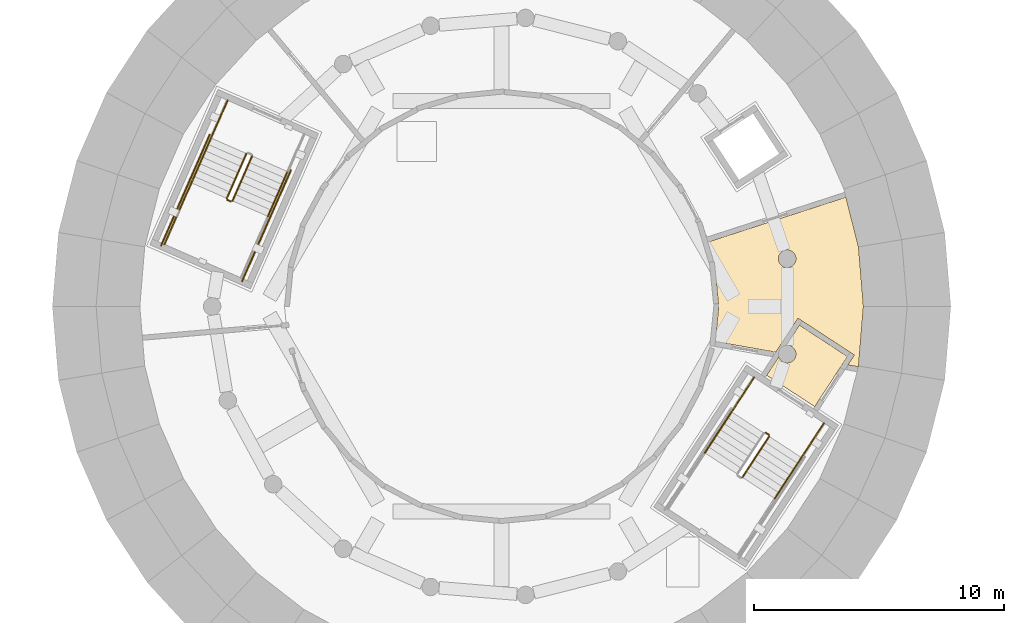
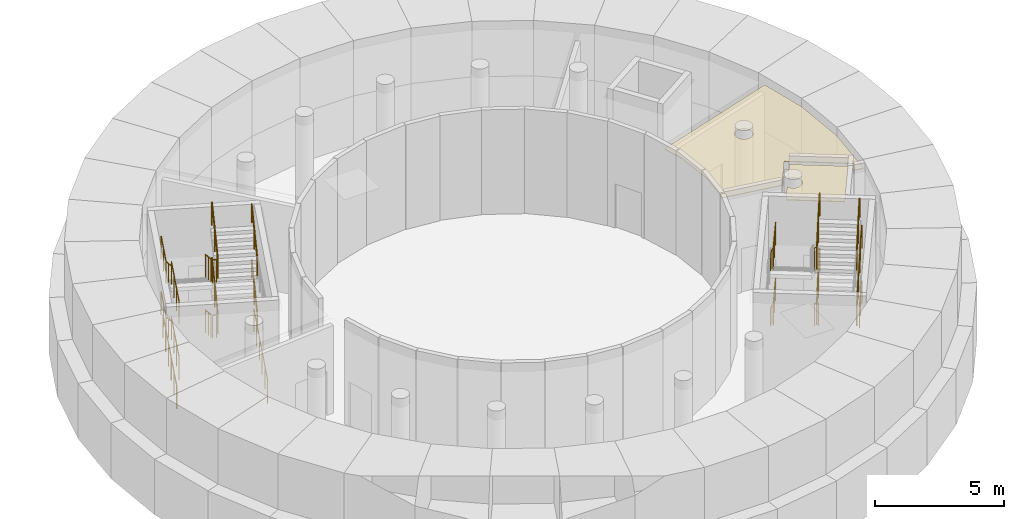
# One storey, part 119 of 125: 28 railings, 2 coverings.
"""IFC4 building model written with IfcOpenShell, lengths in metres."""

from ifc_helpers import new_model, si_unit, direction, frame, origin, origin_2d, place, context, subcontext, project, spatial, polyline, circle, outline, extrude, material, layer, layer_set, type_object, element, save


model = new_model("IFC4")

# Units and contexts
model_context = context("Model", 3, precision=1e-05, world=origin(), true_north=direction((0.0, 1.0)))
body_context = subcontext(model_context, "Body", "Model", "MODEL_VIEW")
ifc_project = project(units=[si_unit("LENGTHUNIT", "METRE"), si_unit("AREAUNIT", "SQUARE_METRE"), si_unit("VOLUMEUNIT", "CUBIC_METRE"), si_unit("PLANEANGLEUNIT", "RADIAN"), si_unit("MASSUNIT", "GRAM", prefix="KILO")], contexts=[model_context])

# Site, building, storey
site_placement = place(None, origin())
site = spatial("IfcSite", under=ifc_project, at=site_placement, CompositionType="ELEMENT")
building_placement = place(site_placement, origin())
building = spatial("IfcBuilding", under=site, at=building_placement, Name="Sun Court Science Centre", CompositionType="ELEMENT")
storey_placement = place(building_placement, frame((0.0, 0.0, 6.0)))
storey = spatial("IfcBuildingStorey", under=building, at=storey_placement, Name="L01", CompositionType="ELEMENT", Elevation=6.0)

# Coverings
ifc_material_1 = material(Name="Perforated steel", Category="steel")
ifc_layer_1 = layer(ifc_material_1, 0.030029296875)
ifc_layer_set_1 = layer_set([ifc_layer_1], Name="Perforated steel")
covering_type_1 = type_object("IfcCoveringType", Name="Ceiling acoustic perforated", PredefinedType="CEILING", material=ifc_layer_set_1)
covering_1_placement = place(storey_placement, frame((0.0, 0.0, 4.52001953125)))
element("IfcCovering", 1, at=covering_1_placement, inside=storey, type_object=covering_type_1, Name="L01-074 ceiling", PredefinedType="CEILING", context=body_context, shape_type="SweptSolid", body=[
    extrude(outline(polyline([(65.498291015625, 96.800048828125), (65.300537109375, 94.413818359375), (65.29248046875, 94.38134765625), (64.876708984375, 94.45458984375), (65.1357421875, 94.85107421875), (62.87548828125, 96.327880859375), (61.98486328125, 94.964599609375), (59.561767578125, 95.391845703125), (59.700439453125, 96.800048828125), (59.533203125, 98.497314453125), (59.265380859375, 99.380615234375), (64.79638671875, 101.177490234375), (65.300537109375, 99.186279296875), (65.498291015625, 96.800048828125)]), holes=[polyline([(62.77978515625, 98.61865234375), (62.78515625, 98.64111328125), (62.788818359375, 98.66357421875), (62.791015625, 98.686279296875), (62.791748046875, 98.709228515625), (62.791015625, 98.732177734375), (62.788818359375, 98.7548828125), (62.78515625, 98.777587890625), (62.77978515625, 98.7998046875), (62.773193359375, 98.82177734375), (62.76513671875, 98.84326171875), (62.755615234375, 98.864013671875), (62.744873046875, 98.88427734375), (62.73291015625, 98.90380859375), (62.719482421875, 98.92236328125), (62.704833984375, 98.940185546875), (62.689208984375, 98.956787109375), (62.672607421875, 98.972412109375), (62.65478515625, 98.987060546875), (62.63623046875, 99.000244140625), (62.61669921875, 99.012451171875), (62.5966796875, 99.023193359375), (62.57568359375, 99.03271484375), (62.55419921875, 99.040771484375), (62.532470703125, 99.04736328125), (62.510009765625, 99.052490234375), (62.487548828125, 99.056396484375), (62.464599609375, 99.05859375), (62.44189453125, 99.059326171875), (62.4189453125, 99.05859375), (62.39599609375, 99.056396484375), (62.37353515625, 99.052490234375), (62.351318359375, 99.04736328125), (62.329345703125, 99.040771484375), (62.307861328125, 99.03271484375), (62.287109375, 99.023193359375), (62.266845703125, 99.012451171875), (62.247314453125, 99.000244140625), (62.228759765625, 98.987060546875), (62.2109375, 98.972412109375), (62.1943359375, 98.956787109375), (62.1787109375, 98.940185546875), (62.1640625, 98.92236328125), (62.15087890625, 98.90380859375), (62.138671875, 98.88427734375), (62.1279296875, 98.864013671875), (62.118408203125, 98.84326171875), (62.1103515625, 98.82177734375), (62.103759765625, 98.7998046875), (62.098388671875, 98.777587890625), (62.0947265625, 98.7548828125), (62.092529296875, 98.732177734375), (62.091796875, 98.709228515625), (62.092529296875, 98.686279296875), (62.0947265625, 98.66357421875), (62.098388671875, 98.64111328125), (62.103759765625, 98.61865234375), (62.1103515625, 98.5966796875), (62.118408203125, 98.575439453125), (62.1279296875, 98.554443359375), (62.138671875, 98.5341796875), (62.15087890625, 98.514892578125), (62.1640625, 98.49609375), (62.1787109375, 98.478515625), (62.1943359375, 98.4619140625), (62.2109375, 98.4462890625), (62.228759765625, 98.431640625), (62.247314453125, 98.418212890625), (62.266845703125, 98.40625), (62.287109375, 98.3955078125), (62.307861328125, 98.385986328125), (62.329345703125, 98.3779296875), (62.351318359375, 98.37109375), (62.37353515625, 98.365966796875), (62.39599609375, 98.3623046875), (62.4189453125, 98.360107421875), (62.44189453125, 98.359375), (62.464599609375, 98.360107421875), (62.487548828125, 98.3623046875), (62.510009765625, 98.365966796875), (62.532470703125, 98.37109375), (62.55419921875, 98.3779296875), (62.57568359375, 98.385986328125), (62.5966796875, 98.3955078125), (62.61669921875, 98.40625), (62.63623046875, 98.418212890625), (62.65478515625, 98.431640625), (62.672607421875, 98.4462890625), (62.689208984375, 98.4619140625), (62.704833984375, 98.478515625), (62.719482421875, 98.49609375), (62.73291015625, 98.514892578125), (62.744873046875, 98.5341796875), (62.755615234375, 98.554443359375), (62.76513671875, 98.575439453125), (62.773193359375, 98.5966796875), (62.77978515625, 98.61865234375)])]), origin(), (0.0, 0.0, 1.0), 0.030029296875),
])
ifc_material_2 = material(Name="Gypsum board")
ifc_layer_2 = layer(ifc_material_2, 0.030029296875)
ifc_layer_set_2 = layer_set([ifc_layer_2], Name="Gypsum board")
covering_type_2 = type_object("IfcCoveringType", Name="Ceiling suspended 600 module", PredefinedType="CEILING", material=ifc_layer_set_2)
covering_2_placement = place(storey_placement, frame((0.0, 0.0, 4.52001953125)))
element("IfcCovering", 2, at=covering_2_placement, inside=storey, type_object=covering_type_2, Name="L01-072 ceiling", PredefinedType="CEILING", context=body_context, shape_type="SweptSolid", body=[
    extrude(outline(polyline([(62.402587890625, 95.23828125), (62.93359375, 96.051025390625), (64.85888671875, 94.79296875), (63.54638671875, 92.78369140625), (61.620849609375, 94.041748046875), (62.107666015625, 94.787109375), (62.118408203125, 94.7568359375), (62.1279296875, 94.73583984375), (62.138671875, 94.7158203125), (62.15087890625, 94.6962890625), (62.1640625, 94.677490234375), (62.1787109375, 94.659912109375), (62.1943359375, 94.643310546875), (62.2109375, 94.627685546875), (62.228759765625, 94.613037109375), (62.247314453125, 94.599609375), (62.266845703125, 94.587646484375), (62.287109375, 94.576904296875), (62.307861328125, 94.5673828125), (62.329345703125, 94.559326171875), (62.351318359375, 94.552490234375), (62.37353515625, 94.54736328125), (62.39599609375, 94.543701171875), (62.4189453125, 94.54150390625), (62.44189453125, 94.540771484375), (62.464599609375, 94.54150390625), (62.487548828125, 94.543701171875), (62.510009765625, 94.54736328125), (62.532470703125, 94.552490234375), (62.55419921875, 94.559326171875), (62.57568359375, 94.5673828125), (62.5966796875, 94.576904296875), (62.61669921875, 94.587646484375), (62.63623046875, 94.599609375), (62.65478515625, 94.613037109375), (62.672607421875, 94.627685546875), (62.689208984375, 94.643310546875), (62.704833984375, 94.659912109375), (62.719482421875, 94.677490234375), (62.73291015625, 94.6962890625), (62.744873046875, 94.7158203125), (62.755615234375, 94.73583984375), (62.76513671875, 94.7568359375), (62.773193359375, 94.7783203125), (62.77978515625, 94.800048828125), (62.78515625, 94.822509765625), (62.788818359375, 94.844970703125), (62.791015625, 94.867919921875), (62.791748046875, 94.890625), (62.791015625, 94.91357421875), (62.788818359375, 94.936279296875), (62.78515625, 94.958984375), (62.77978515625, 94.981201171875), (62.773193359375, 95.003173828125), (62.76513671875, 95.024658203125), (62.755615234375, 95.04541015625), (62.744873046875, 95.065673828125), (62.73291015625, 95.085205078125), (62.719482421875, 95.103759765625), (62.704833984375, 95.12158203125), (62.689208984375, 95.13818359375), (62.672607421875, 95.15380859375), (62.65478515625, 95.16845703125), (62.63623046875, 95.181640625), (62.61669921875, 95.19384765625), (62.5966796875, 95.20458984375), (62.57568359375, 95.214111328125), (62.55419921875, 95.22216796875), (62.532470703125, 95.228759765625), (62.510009765625, 95.23388671875), (62.487548828125, 95.23779296875), (62.464599609375, 95.239990234375), (62.44189453125, 95.24072265625), (62.4189453125, 95.239990234375), (62.402587890625, 95.23828125)])), origin(), (0.0, 0.0, 1.0), 0.030029296875),
])

# Railings
ifc_material_3 = material(Name="Steel S275", Category="steel")
railing_type_1 = type_object("IfcRailingType", Name="Guard 1100 steel balustrade", PredefinedType="GUARDRAIL", material=ifc_material_3)
railing_1_placement = place(storey_placement, frame((60.64892578125, 89.948974609375, 1.4765625)))
element("IfcRailing", 3, at=railing_1_placement, inside=storey, type_object=railing_type_1, Name="L01 PS1 stair guard 5", PredefinedType="GUARDRAIL", context=body_context, shape_type="SweptSolid", body=[
    extrude(circle(Radius=0.02392578125, at=origin_2d()), frame((0.0, 0.0, 1.076171875), z_axis=(0.471904152207, 0.72231104691, 0.505542503298), x_axis=(-0.837169241842, 0.546943928125, 0.0)), (0.0, 0.0, 1.0), 2.271728515625),
    extrude(circle(Radius=0.02099609375, at=origin_2d()), origin(), (0.0, 0.0, 1.0), 1.052001953125),
    extrude(circle(Radius=0.02099609375, at=origin_2d()), frame((0.5361328125, 0.8203125, 0.57421875)), (0.0, 0.0, 1.0), 1.052001953125),
    extrude(circle(Radius=0.02099609375, at=origin_2d()), frame((1.072021484375, 1.640869140625, 1.1484375)), (0.0, 0.0, 1.0), 1.052001953125),
])
railing_2_placement = place(storey_placement, frame((61.580810546875, 91.740966796875, 2.625)))
element("IfcRailing", 4, at=railing_2_placement, inside=storey, type_object=railing_type_1, Name="L01 PS1 stair guard 6", PredefinedType="GUARDRAIL", context=body_context, shape_type="SweptSolid", body=[
    extrude(circle(Radius=0.02392578125, at=origin_2d()), frame((0.0, 0.0, 1.076171875), z_axis=(0.837513526863, -0.546416592283, 0.0), x_axis=(0.546416592283, 0.837513526863, 0.0)), (0.0, 0.0, 1.0), 0.150146484375),
    extrude(circle(Radius=0.02099609375, at=origin_2d()), origin(), (0.0, 0.0, 1.0), 1.052001953125),
    extrude(circle(Radius=0.02099609375, at=origin_2d()), frame((0.125732421875, -0.08203125, 0.0)), (0.0, 0.0, 1.0), 1.052001953125),
])
for number, where, name in (
    (5, (61.1171875, 93.952880859375, 2.625), "L01 PS1 stair guard 7"),
    (6, (63.918212890625, 92.122802734375, 2.625), "L01 PS1 stair guard 8"),
):
    element("IfcRailing", number, at=place(storey_placement, frame(where)), inside=storey, type_object=railing_type_1, Name=name, PredefinedType="GUARDRAIL", context=body_context, shape_type="SweptSolid", body=[
        extrude(circle(Radius=0.02392578125, at=origin_2d()), frame((0.0, 0.0, 1.076171875), z_axis=(-0.546949968366, -0.837165295568, 0.0), x_axis=(0.837165295568, -0.546949968366, 0.0)), (0.0, 0.0, 1.0), 1.64794921875),
        extrude(circle(Radius=0.02099609375, at=origin_2d()), origin(), (0.0, 0.0, 1.0), 1.052001953125),
        extrude(circle(Radius=0.02099609375, at=origin_2d()), frame((-0.45068359375, -0.68994140625, 0.0)), (0.0, 0.0, 1.0), 1.052001953125),
        extrude(circle(Radius=0.02099609375, at=origin_2d()), frame((-0.9013671875, -1.379638671875, 0.0)), (0.0, 0.0, 1.0), 1.052001953125),
    ])
railing_3_placement = place(storey_placement, frame((60.64892578125, 89.948974609375, 4.1015625)))
element("IfcRailing", 7, at=railing_3_placement, inside=storey, type_object=railing_type_1, Name="L01 PS1 stair guard 13", PredefinedType="GUARDRAIL", context=body_context, shape_type="SweptSolid", body=[
    extrude(circle(Radius=0.02392578125, at=origin_2d()), frame((0.0, 0.0, 1.076171875), z_axis=(0.471904152207, 0.72231104691, 0.505542503298), x_axis=(-0.837169241842, 0.546943928125, 0.0)), (0.0, 0.0, 1.0), 2.271728515625),
    extrude(circle(Radius=0.02099609375, at=origin_2d()), origin(), (0.0, 0.0, 1.0), 1.052001953125),
    extrude(circle(Radius=0.02099609375, at=origin_2d()), frame((0.5361328125, 0.8203125, 0.57421875)), (0.0, 0.0, 1.0), 1.052001953125),
    extrude(circle(Radius=0.02099609375, at=origin_2d()), frame((1.072021484375, 1.640869140625, 1.1484375)), (0.0, 0.0, 1.0), 1.052001953125),
])
railing_4_placement = place(storey_placement, frame((61.580810546875, 91.740966796875, 0.0)))
element("IfcRailing", 8, at=railing_4_placement, inside=storey, type_object=railing_type_1, Name="L01 PS1 stair guard 14", PredefinedType="GUARDRAIL", context=body_context, shape_type="SweptSolid", body=[
    extrude(circle(Radius=0.02392578125, at=origin_2d()), frame((0.0, 0.0, 1.076171875), z_axis=(0.837513526863, -0.546416592283, 0.0), x_axis=(0.546416592283, 0.837513526863, 0.0)), (0.0, 0.0, 1.0), 0.150146484375),
    extrude(circle(Radius=0.02099609375, at=origin_2d()), origin(), (0.0, 0.0, 1.0), 1.052001953125),
    extrude(circle(Radius=0.02099609375, at=origin_2d()), frame((0.125732421875, -0.08203125, 0.0)), (0.0, 0.0, 1.0), 1.052001953125),
])
for number, where, name in (
    (9, (61.1171875, 93.952880859375, 0.0), "L01 PS1 stair guard 15"),
    (10, (63.918212890625, 92.122802734375, 0.0), "L01 PS1 stair guard 16"),
):
    element("IfcRailing", number, at=place(storey_placement, frame(where)), inside=storey, type_object=railing_type_1, Name=name, PredefinedType="GUARDRAIL", context=body_context, shape_type="SweptSolid", body=[
        extrude(circle(Radius=0.02392578125, at=origin_2d()), frame((0.0, 0.0, 1.076171875), z_axis=(-0.546949968366, -0.837165295568, 0.0), x_axis=(0.837165295568, -0.546949968366, 0.0)), (0.0, 0.0, 1.0), 1.64794921875),
        extrude(circle(Radius=0.02099609375, at=origin_2d()), origin(), (0.0, 0.0, 1.0), 1.052001953125),
        extrude(circle(Radius=0.02099609375, at=origin_2d()), frame((-0.45068359375, -0.68994140625, 0.0)), (0.0, 0.0, 1.0), 1.052001953125),
        extrude(circle(Radius=0.02099609375, at=origin_2d()), frame((-0.9013671875, -1.379638671875, 0.0)), (0.0, 0.0, 1.0), 1.052001953125),
    ])
railing_5_placement = place(storey_placement, frame((40.7744140625, 102.925537109375, 0.1640625)))
element("IfcRailing", 11, at=railing_5_placement, inside=storey, type_object=railing_type_1, Name="L01 PS2 stair guard 1", PredefinedType="GUARDRAIL", context=body_context, shape_type="SweptSolid", body=[
    extrude(circle(Radius=0.02392578125, at=origin_2d()), frame((0.0, 0.0, 1.076171875), z_axis=(-0.346593620389, -0.790125983596, 0.505543066762), x_axis=(0.915768112074, -0.401707312491, 0.0)), (0.0, 0.0, 1.0), 2.271728515625),
    extrude(circle(Radius=0.02099609375, at=origin_2d()), origin(), (0.0, 0.0, 1.0), 1.052001953125),
    extrude(circle(Radius=0.02099609375, at=origin_2d()), frame((-0.3935546875, -0.8974609375, 0.57421875)), (0.0, 0.0, 1.0), 1.052001953125),
    extrude(circle(Radius=0.02099609375, at=origin_2d()), frame((-0.787353515625, -1.794921875, 1.1484375)), (0.0, 0.0, 1.0), 1.052001953125),
])
railing_6_placement = place(storey_placement, frame((40.0126953125, 101.064697265625, 1.3125)))
element("IfcRailing", 12, at=railing_6_placement, inside=storey, type_object=railing_type_1, Name="L01 PS2 stair guard 2", PredefinedType="GUARDRAIL", context=body_context, shape_type="SweptSolid", body=[
    extrude(circle(Radius=0.02392578125, at=origin_2d()), frame((0.0, 0.0, 1.076171875), z_axis=(0.915746217537, -0.401757221548, 0.0), x_axis=(0.401757221548, 0.915746217537, 0.0)), (0.0, 0.0, 1.0), 0.150146484375),
    extrude(circle(Radius=0.02099609375, at=origin_2d()), origin(), (0.0, 0.0, 1.0), 1.052001953125),
    extrude(circle(Radius=0.02099609375, at=origin_2d()), frame((0.137451171875, -0.060302734375, 0.0)), (0.0, 0.0, 1.0), 1.052001953125),
])
railing_7_placement = place(storey_placement, frame((38.5693359375, 101.75244140625, 1.3125)))
element("IfcRailing", 13, at=railing_7_placement, inside=storey, type_object=railing_type_1, Name="L01 PS2 stair guard 3", PredefinedType="GUARDRAIL", context=body_context, shape_type="SweptSolid", body=[
    extrude(circle(Radius=0.02392578125, at=origin_2d()), frame((0.0, 0.0, 1.076171875), z_axis=(-0.401665498171, -0.915786453044, 0.0), x_axis=(0.915786453044, -0.401665498171, 0.0)), (0.0, 0.0, 1.0), 2.692138671875),
    extrude(circle(Radius=0.02099609375, at=origin_2d()), origin(), (0.0, 0.0, 1.0), 1.052001953125),
    extrude(circle(Radius=0.02099609375, at=origin_2d()), frame((-0.3603515625, -0.82177734375, 0.0)), (0.0, 0.0, 1.0), 1.052001953125),
    extrude(circle(Radius=0.02099609375, at=origin_2d()), frame((-0.720947265625, -1.6435546875, 0.0)), (0.0, 0.0, 1.0), 1.052001953125),
    extrude(circle(Radius=0.02099609375, at=origin_2d()), frame((-1.081298828125, -2.46533203125, 0.0)), (0.0, 0.0, 1.0), 1.052001953125),
])
railing_8_placement = place(storey_placement, frame((40.216064453125, 101.0302734375, 1.4765625)))
element("IfcRailing", 14, at=railing_8_placement, inside=storey, type_object=railing_type_1, Name="L01 PS2 stair guard 5", PredefinedType="GUARDRAIL", context=body_context, shape_type="SweptSolid", body=[
    extrude(circle(Radius=0.02392578125, at=origin_2d()), frame((0.0, 0.0, 1.076171875), z_axis=(0.346499054386, 0.790155411863, 0.505561895729), x_axis=(-0.915813930538, 0.401602844403, 0.0)), (0.0, 0.0, 1.0), 2.271484375),
    extrude(circle(Radius=0.02099609375, at=origin_2d()), origin(), (0.0, 0.0, 1.0), 1.052001953125),
    extrude(circle(Radius=0.02099609375, at=origin_2d()), frame((0.3935546875, 0.8974609375, 0.57421875)), (0.0, 0.0, 1.0), 1.052001953125),
    extrude(circle(Radius=0.02099609375, at=origin_2d()), frame((0.787109375, 1.794921875, 1.1484375)), (0.0, 0.0, 1.0), 1.052001953125),
])
railing_9_placement = place(storey_placement, frame((40.018798828125, 105.056640625, 2.625)))
element("IfcRailing", 15, at=railing_9_placement, inside=storey, type_object=railing_type_1, Name="L01 PS2 stair guard 7", PredefinedType="GUARDRAIL", context=body_context, shape_type="SweptSolid", body=[
    extrude(circle(Radius=0.02392578125, at=origin_2d()), frame((0.0, 0.0, 1.076171875), z_axis=(-0.401735598305, -0.915755703807, 0.0), x_axis=(0.915755703807, -0.401735598305, 0.0)), (0.0, 0.0, 1.0), 1.648193359375),
    extrude(circle(Radius=0.02099609375, at=origin_2d()), origin(), (0.0, 0.0, 1.0), 1.052001953125),
    extrude(circle(Radius=0.02099609375, at=origin_2d()), frame((-0.3310546875, -0.754638671875, 0.0)), (0.0, 0.0, 1.0), 1.052001953125),
    extrude(circle(Radius=0.02099609375, at=origin_2d()), frame((-0.662109375, -1.50927734375, 0.0)), (0.0, 0.0, 1.0), 1.052001953125),
])
railing_10_placement = place(storey_placement, frame((40.7744140625, 102.925537109375, 2.7890625)))
element("IfcRailing", 16, at=railing_10_placement, inside=storey, type_object=railing_type_1, Name="L01 PS2 stair guard 9", PredefinedType="GUARDRAIL", context=body_context, shape_type="SweptSolid", body=[
    extrude(circle(Radius=0.02392578125, at=origin_2d()), frame((0.0, 0.0, 1.076171875), z_axis=(-0.346593620389, -0.790125983596, 0.505543066762), x_axis=(0.915768112074, -0.401707312491, 0.0)), (0.0, 0.0, 1.0), 2.271728515625),
    extrude(circle(Radius=0.02099609375, at=origin_2d()), origin(), (0.0, 0.0, 1.0), 1.052001953125),
    extrude(circle(Radius=0.02099609375, at=origin_2d()), frame((-0.3935546875, -0.8974609375, 0.57421875)), (0.0, 0.0, 1.0), 1.052001953125),
    extrude(circle(Radius=0.02099609375, at=origin_2d()), frame((-0.787353515625, -1.794921875, 1.1484375)), (0.0, 0.0, 1.0), 1.052001953125),
])
railing_11_placement = place(storey_placement, frame((40.0126953125, 101.064697265625, 3.9375)))
element("IfcRailing", 17, at=railing_11_placement, inside=storey, type_object=railing_type_1, Name="L01 PS2 stair guard 10", PredefinedType="GUARDRAIL", context=body_context, shape_type="SweptSolid", body=[
    extrude(circle(Radius=0.02392578125, at=origin_2d()), frame((0.0, 0.0, 1.076171875), z_axis=(0.915746217537, -0.401757221548, 0.0), x_axis=(0.401757221548, 0.915746217537, 0.0)), (0.0, 0.0, 1.0), 0.150146484375),
    extrude(circle(Radius=0.02099609375, at=origin_2d()), origin(), (0.0, 0.0, 1.0), 1.052001953125),
    extrude(circle(Radius=0.02099609375, at=origin_2d()), frame((0.137451171875, -0.060302734375, 0.0)), (0.0, 0.0, 1.0), 1.052001953125),
])
railing_12_placement = place(storey_placement, frame((38.5693359375, 101.75244140625, 3.9375)))
element("IfcRailing", 18, at=railing_12_placement, inside=storey, type_object=railing_type_1, Name="L01 PS2 stair guard 11", PredefinedType="GUARDRAIL", context=body_context, shape_type="SweptSolid", body=[
    extrude(circle(Radius=0.02392578125, at=origin_2d()), frame((0.0, 0.0, 1.076171875), z_axis=(-0.401665498171, -0.915786453044, 0.0), x_axis=(0.915786453044, -0.401665498171, 0.0)), (0.0, 0.0, 1.0), 2.692138671875),
    extrude(circle(Radius=0.02099609375, at=origin_2d()), origin(), (0.0, 0.0, 1.0), 1.052001953125),
    extrude(circle(Radius=0.02099609375, at=origin_2d()), frame((-0.3603515625, -0.82177734375, 0.0)), (0.0, 0.0, 1.0), 1.052001953125),
    extrude(circle(Radius=0.02099609375, at=origin_2d()), frame((-0.720947265625, -1.6435546875, 0.0)), (0.0, 0.0, 1.0), 1.052001953125),
    extrude(circle(Radius=0.02099609375, at=origin_2d()), frame((-1.081298828125, -2.46533203125, 0.0)), (0.0, 0.0, 1.0), 1.052001953125),
])
railing_13_placement = place(storey_placement, frame((40.216064453125, 101.0302734375, 4.1015625)))
element("IfcRailing", 19, at=railing_13_placement, inside=storey, type_object=railing_type_1, Name="L01 PS2 stair guard 13", PredefinedType="GUARDRAIL", context=body_context, shape_type="SweptSolid", body=[
    extrude(circle(Radius=0.02392578125, at=origin_2d()), frame((0.0, 0.0, 1.076171875), z_axis=(0.346499054386, 0.790155411863, 0.505561895729), x_axis=(-0.915813930538, 0.401602844403, 0.0)), (0.0, 0.0, 1.0), 2.271484375),
    extrude(circle(Radius=0.02099609375, at=origin_2d()), origin(), (0.0, 0.0, 1.0), 1.052001953125),
    extrude(circle(Radius=0.02099609375, at=origin_2d()), frame((0.3935546875, 0.8974609375, 0.57421875)), (0.0, 0.0, 1.0), 1.052001953125),
    extrude(circle(Radius=0.02099609375, at=origin_2d()), frame((0.787109375, 1.794921875, 1.1484375)), (0.0, 0.0, 1.0), 1.052001953125),
])
railing_14_placement = place(storey_placement, frame((40.018798828125, 105.056640625, 0.0)))
element("IfcRailing", 20, at=railing_14_placement, inside=storey, type_object=railing_type_1, Name="L01 PS2 stair guard 15", PredefinedType="GUARDRAIL", context=body_context, shape_type="SweptSolid", body=[
    extrude(circle(Radius=0.02392578125, at=origin_2d()), frame((0.0, 0.0, 1.076171875), z_axis=(-0.401735598305, -0.915755703807, 0.0), x_axis=(0.915755703807, -0.401735598305, 0.0)), (0.0, 0.0, 1.0), 1.648193359375),
    extrude(circle(Radius=0.02099609375, at=origin_2d()), origin(), (0.0, 0.0, 1.0), 1.052001953125),
    extrude(circle(Radius=0.02099609375, at=origin_2d()), frame((-0.3310546875, -0.754638671875, 0.0)), (0.0, 0.0, 1.0), 1.052001953125),
    extrude(circle(Radius=0.02099609375, at=origin_2d()), frame((-0.662109375, -1.50927734375, 0.0)), (0.0, 0.0, 1.0), 1.052001953125),
])
for number, where, name in (
    (21, (39.305419921875, 103.67919921875, 0.0), "L01 PS2 stair guard 17"),
    (22, (42.552734375, 102.254638671875, 0.0), "L01 PS2 stair guard 18"),
):
    element("IfcRailing", number, at=place(storey_placement, frame(where)), inside=storey, type_object=railing_type_1, Name=name, PredefinedType="GUARDRAIL", context=body_context, shape_type="SweptSolid", body=[
        extrude(circle(Radius=0.02392578125, at=origin_2d()), frame((0.0, 0.0, 1.076171875), z_axis=(-0.401726643108, -0.915759632336, 0.0), x_axis=(0.915759632336, -0.401726643108, 0.0)), (0.0, 0.0, 1.0), 4.85205078125),
        extrude(circle(Radius=0.02099609375, at=origin_2d()), origin(), (0.0, 0.0, 1.0), 1.052001953125),
        extrude(circle(Radius=0.02099609375, at=origin_2d()), frame((-0.389892578125, -0.888671875, 0.0)), (0.0, 0.0, 1.0), 1.052001953125),
        extrude(circle(Radius=0.02099609375, at=origin_2d()), frame((-0.77978515625, -1.77734375, 0.0)), (0.0, 0.0, 1.0), 1.052001953125),
        extrude(circle(Radius=0.02099609375, at=origin_2d()), frame((-1.16943359375, -2.666015625, 0.0)), (0.0, 0.0, 1.0), 1.052001953125),
        extrude(circle(Radius=0.02099609375, at=origin_2d()), frame((-1.559326171875, -3.5546875, 0.0)), (0.0, 0.0, 1.0), 1.052001953125),
        extrude(circle(Radius=0.02099609375, at=origin_2d()), frame((-1.94921875, -4.443359375, 0.0)), (0.0, 0.0, 1.0), 1.052001953125),
    ])
ifc_material_4 = material(Name="Stainless steel", Category="steel")
railing_type_2 = type_object("IfcRailingType", Name="Handrail 900 stainless", PredefinedType="HANDRAIL", material=ifc_material_4)
railing_15_placement = place(storey_placement, frame((60.2158203125, 92.5732421875, 0.1640625)))
element("IfcRailing", 23, at=railing_15_placement, inside=storey, type_object=railing_type_2, Name="L01 PS1 stair handrail 1", PredefinedType="HANDRAIL", context=body_context, shape_type="SweptSolid", body=[
    extrude(circle(Radius=0.02392578125, at=origin_2d()), frame((0.0, 0.0, 0.8759765625), z_axis=(-0.471904152207, -0.72231104691, 0.505542503298), x_axis=(0.837169241842, -0.546943928125, 0.0)), (0.0, 0.0, 1.0), 2.271728515625),
    extrude(circle(Radius=0.02099609375, at=origin_2d()), origin(), (0.0, 0.0, 1.0), 0.851806640625),
    extrude(circle(Radius=0.02099609375, at=origin_2d()), frame((-0.5361328125, -0.8203125, 0.57421875)), (0.0, 0.0, 1.0), 0.851806640625),
    extrude(circle(Radius=0.02099609375, at=origin_2d()), frame((-1.072021484375, -1.640869140625, 1.1484375)), (0.0, 0.0, 1.0), 0.851806640625),
])
railing_16_placement = place(storey_placement, frame((61.94482421875, 89.102294921875, 1.4765625)))
element("IfcRailing", 24, at=railing_16_placement, inside=storey, type_object=railing_type_2, Name="L01 PS1 stair handrail 2", PredefinedType="HANDRAIL", context=body_context, shape_type="SweptSolid", body=[
    extrude(circle(Radius=0.02392578125, at=origin_2d()), frame((0.0, 0.0, 0.8759765625), z_axis=(0.471904152207, 0.72231104691, 0.505542503298), x_axis=(-0.837169241842, 0.546943928125, 0.0)), (0.0, 0.0, 1.0), 2.271728515625),
    extrude(circle(Radius=0.02099609375, at=origin_2d()), origin(), (0.0, 0.0, 1.0), 0.851806640625),
    extrude(circle(Radius=0.02099609375, at=origin_2d()), frame((0.5361328125, 0.8203125, 0.57421875)), (0.0, 0.0, 1.0), 0.851806640625),
    extrude(circle(Radius=0.02099609375, at=origin_2d()), frame((1.072021484375, 1.640869140625, 1.1484375)), (0.0, 0.0, 1.0), 0.851806640625),
])
railing_17_placement = place(storey_placement, frame((60.2158203125, 92.5732421875, 2.7890625)))
element("IfcRailing", 25, at=railing_17_placement, inside=storey, type_object=railing_type_2, Name="L01 PS1 stair handrail 3", PredefinedType="HANDRAIL", context=body_context, shape_type="SweptSolid", body=[
    extrude(circle(Radius=0.02392578125, at=origin_2d()), frame((0.0, 0.0, 0.8759765625), z_axis=(-0.471904152207, -0.72231104691, 0.505542503298), x_axis=(0.837169241842, -0.546943928125, 0.0)), (0.0, 0.0, 1.0), 2.271728515625),
    extrude(circle(Radius=0.02099609375, at=origin_2d()), origin(), (0.0, 0.0, 1.0), 0.851806640625),
    extrude(circle(Radius=0.02099609375, at=origin_2d()), frame((-0.5361328125, -0.8203125, 0.57421875)), (0.0, 0.0, 1.0), 0.851806640625),
    extrude(circle(Radius=0.02099609375, at=origin_2d()), frame((-1.072021484375, -1.640869140625, 1.1484375)), (0.0, 0.0, 1.0), 0.851806640625),
])
railing_18_placement = place(storey_placement, frame((61.94482421875, 89.102294921875, 4.1015625)))
element("IfcRailing", 26, at=railing_18_placement, inside=storey, type_object=railing_type_2, Name="L01 PS1 stair handrail 4", PredefinedType="HANDRAIL", context=body_context, shape_type="SweptSolid", body=[
    extrude(circle(Radius=0.02392578125, at=origin_2d()), frame((0.0, 0.0, 0.8759765625), z_axis=(0.471904152207, 0.72231104691, 0.505542503298), x_axis=(-0.837169241842, 0.546943928125, 0.0)), (0.0, 0.0, 1.0), 2.271728515625),
    extrude(circle(Radius=0.02099609375, at=origin_2d()), origin(), (0.0, 0.0, 1.0), 0.851806640625),
    extrude(circle(Radius=0.02099609375, at=origin_2d()), frame((0.5361328125, 0.8203125, 0.57421875)), (0.0, 0.0, 1.0), 0.851806640625),
    extrude(circle(Radius=0.02099609375, at=origin_2d()), frame((1.072021484375, 1.640869140625, 1.1484375)), (0.0, 0.0, 1.0), 0.851806640625),
])
railing_19_placement = place(storey_placement, frame((39.356689453125, 103.54736328125, 0.1640625)))
element("IfcRailing", 27, at=railing_19_placement, inside=storey, type_object=railing_type_2, Name="L01 PS2 stair handrail 1", PredefinedType="HANDRAIL", context=body_context, shape_type="SweptSolid", body=[
    extrude(circle(Radius=0.02392578125, at=origin_2d()), frame((0.0, 0.0, 0.8759765625), z_axis=(-0.346593620389, -0.790125983596, 0.505543066762), x_axis=(0.915768112074, -0.401707312491, 0.0)), (0.0, 0.0, 1.0), 2.271728515625),
    extrude(circle(Radius=0.02099609375, at=origin_2d()), origin(), (0.0, 0.0, 1.0), 0.851806640625),
    extrude(circle(Radius=0.02099609375, at=origin_2d()), frame((-0.3935546875, -0.8974609375, 0.57421875)), (0.0, 0.0, 1.0), 0.851806640625),
    extrude(circle(Radius=0.02099609375, at=origin_2d()), frame((-0.787353515625, -1.794921875, 1.1484375)), (0.0, 0.0, 1.0), 0.851806640625),
])
railing_20_placement = place(storey_placement, frame((41.633544921875, 100.408447265625, 1.4765625)))
element("IfcRailing", 28, at=railing_20_placement, inside=storey, type_object=railing_type_2, Name="L01 PS2 stair handrail 2", PredefinedType="HANDRAIL", context=body_context, shape_type="SweptSolid", body=[
    extrude(circle(Radius=0.02392578125, at=origin_2d()), frame((0.0, 0.0, 0.8759765625), z_axis=(0.346593620389, 0.790125983596, 0.505543066762), x_axis=(-0.915768112074, 0.401707312491, 0.0)), (0.0, 0.0, 1.0), 2.271728515625),
    extrude(circle(Radius=0.02099609375, at=origin_2d()), origin(), (0.0, 0.0, 1.0), 0.851806640625),
    extrude(circle(Radius=0.02099609375, at=origin_2d()), frame((0.3935546875, 0.8974609375, 0.57421875)), (0.0, 0.0, 1.0), 0.851806640625),
    extrude(circle(Radius=0.02099609375, at=origin_2d()), frame((0.787353515625, 1.794921875, 1.1484375)), (0.0, 0.0, 1.0), 0.851806640625),
])
railing_21_placement = place(storey_placement, frame((39.356689453125, 103.54736328125, 2.7890625)))
element("IfcRailing", 29, at=railing_21_placement, inside=storey, type_object=railing_type_2, Name="L01 PS2 stair handrail 3", PredefinedType="HANDRAIL", context=body_context, shape_type="SweptSolid", body=[
    extrude(circle(Radius=0.02392578125, at=origin_2d()), frame((0.0, 0.0, 0.8759765625), z_axis=(-0.346593620389, -0.790125983596, 0.505543066762), x_axis=(0.915768112074, -0.401707312491, 0.0)), (0.0, 0.0, 1.0), 2.271728515625),
    extrude(circle(Radius=0.02099609375, at=origin_2d()), origin(), (0.0, 0.0, 1.0), 0.851806640625),
    extrude(circle(Radius=0.02099609375, at=origin_2d()), frame((-0.3935546875, -0.8974609375, 0.57421875)), (0.0, 0.0, 1.0), 0.851806640625),
    extrude(circle(Radius=0.02099609375, at=origin_2d()), frame((-0.787353515625, -1.794921875, 1.1484375)), (0.0, 0.0, 1.0), 0.851806640625),
])
railing_22_placement = place(storey_placement, frame((41.633544921875, 100.408447265625, 4.1015625)))
element("IfcRailing", 30, at=railing_22_placement, inside=storey, type_object=railing_type_2, Name="L01 PS2 stair handrail 4", PredefinedType="HANDRAIL", context=body_context, shape_type="SweptSolid", body=[
    extrude(circle(Radius=0.02392578125, at=origin_2d()), frame((0.0, 0.0, 0.8759765625), z_axis=(0.346593620389, 0.790125983596, 0.505543066762), x_axis=(-0.915768112074, 0.401707312491, 0.0)), (0.0, 0.0, 1.0), 2.271728515625),
    extrude(circle(Radius=0.02099609375, at=origin_2d()), origin(), (0.0, 0.0, 1.0), 0.851806640625),
    extrude(circle(Radius=0.02099609375, at=origin_2d()), frame((0.3935546875, 0.8974609375, 0.57421875)), (0.0, 0.0, 1.0), 0.851806640625),
    extrude(circle(Radius=0.02099609375, at=origin_2d()), frame((0.787353515625, 1.794921875, 1.1484375)), (0.0, 0.0, 1.0), 0.851806640625),
])

save(model, "model.ifc")
